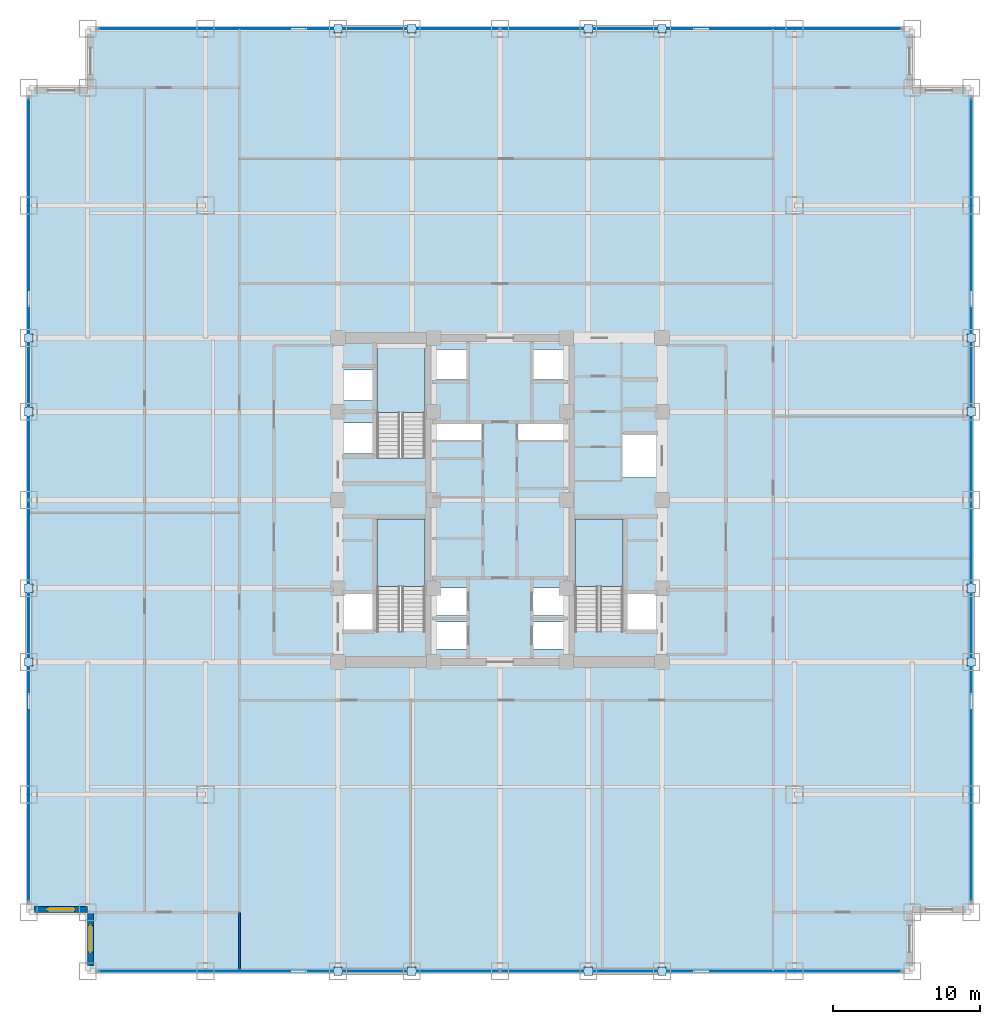
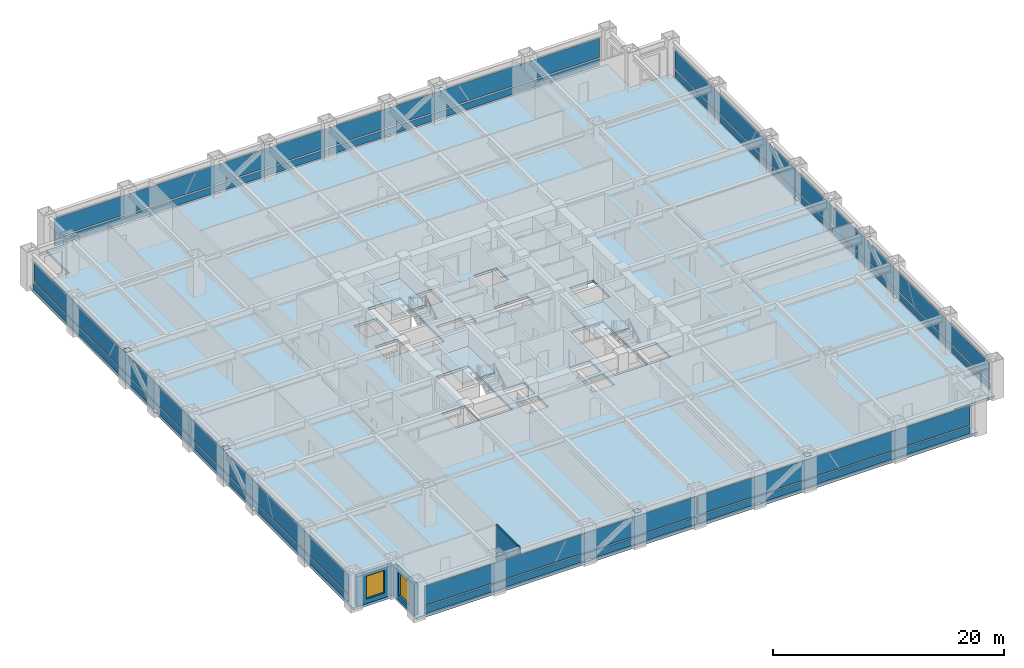
# One storey, part 22 of 27: 32 plates, 4 slabs, 3 walls, 2 windows, 2 openings, 7 elements without a shape of their own.
"""IFC4 building model written with IfcOpenShell, lengths in metres."""

from ifc_helpers import new_model, si_unit, direction, frame, frame_2d, origin, origin_2d, place, context, subcontext, project, spatial, polyline, rectangle, outline, extrude, source, transform, mapped, material, layer, layer_set, type_object, element, fill, aggregate, save


model = new_model("IFC4")

# Units and contexts
model_context = context("Model", 3, precision=1e-05, world=origin(), true_north=direction((0.0, 1.0)))
body_context = subcontext(model_context, "Body", "Model", "MODEL_VIEW")
ifc_project = project(units=[si_unit("LENGTHUNIT", "METRE"), si_unit("AREAUNIT", "SQUARE_METRE"), si_unit("VOLUMEUNIT", "CUBIC_METRE"), si_unit("PLANEANGLEUNIT", "RADIAN"), si_unit("MASSUNIT", "GRAM", prefix="KILO")], contexts=[model_context])

# Site, building, storey
site_placement = place(None, origin())
site = spatial("IfcSite", under=ifc_project, at=site_placement, CompositionType="ELEMENT")
building_placement = place(site_placement, origin())
building = spatial("IfcBuilding", under=site, at=building_placement, Name="Khorayat Bourse Tower", CompositionType="ELEMENT")
storey_placement = place(building_placement, frame((0.0, 0.0, 107.800048828125)))
storey = spatial("IfcBuildingStorey", under=building, at=storey_placement, Name="L24", CompositionType="ELEMENT", Elevation=107.800048828125)

# Stair, slab
ifc_material_1 = material(Name="Concrete C40/50", Category="concrete")
stair_type = type_object("IfcStairType", Name="STR-CORE-1550", PredefinedType="HALF_TURN_STAIR", material=ifc_material_1)
stair_1_placement = place(storey_placement, origin())
stair_1 = element("IfcStair", 1, at=stair_1_placement, inside=storey, type_object=stair_type, Name="L24 Exit Stair ST-1", PredefinedType="HALF_TURN_STAIR")
ifc_layer_1 = layer(ifc_material_1, 0.199951171875)
ifc_layer_set_1 = layer_set([ifc_layer_1], Name="Concrete C40/50")
slab_type_1 = type_object("IfcSlabType", Name="SLB-LANDING-200", PredefinedType="LANDING", material=ifc_layer_set_1)
slab_1_placement = place(storey_placement, frame((0.0, 0.0, 1.849853515625)))
slab_1 = element("IfcSlab", 2, at=slab_1_placement, type_object=slab_type_1, Name="ST-1 landing 1", PredefinedType="LANDING", context=body_context, shape_type="SweptSolid", body=[
    extrude(outline(polyline([(-5.10009765625, -5.8701171875), (-5.10009765625, -1.300048828125), (-8.35009765625, -1.300048828125), (-8.35009765625, -5.8701171875), (-5.10009765625, -5.8701171875)])), origin(), (0.0, 0.0, 1.0), 0.2001953125),
])
aggregate(stair_1, [slab_1])

stair_2_placement = place(storey_placement, origin())
stair_2 = element("IfcStair", 3, at=stair_2_placement, inside=storey, type_object=stair_type, Name="L24 Exit Stair ST-2", PredefinedType="HALF_TURN_STAIR")
slab_2_placement = place(storey_placement, frame((0.0, 0.0, 1.849853515625)))
slab_2 = element("IfcSlab", 4, at=slab_2_placement, type_object=slab_type_1, Name="ST-2 landing 1", PredefinedType="LANDING", context=body_context, shape_type="SweptSolid", body=[
    extrude(outline(polyline([(-5.10009765625, 5.929931640625), (-5.10009765625, 10.5), (-8.35009765625, 10.5), (-8.35009765625, 5.929931640625), (-5.10009765625, 5.929931640625)])), origin(), (0.0, 0.0, 1.0), 0.2001953125),
])
aggregate(stair_2, [slab_2])

stair_3_placement = place(storey_placement, origin())
stair_3 = element("IfcStair", 5, at=stair_3_placement, inside=storey, type_object=stair_type, Name="L24 Exit Stair ST-3", PredefinedType="HALF_TURN_STAIR")
slab_3_placement = place(storey_placement, frame((0.0, 0.0, 1.849853515625)))
slab_3 = element("IfcSlab", 6, at=slab_3_placement, type_object=slab_type_1, Name="ST-3 landing 1", PredefinedType="LANDING", context=body_context, shape_type="SweptSolid", body=[
    extrude(outline(polyline([(8.35009765625, -5.8701171875), (8.35009765625, -1.300048828125), (5.10009765625, -1.300048828125), (5.10009765625, -5.8701171875), (8.35009765625, -5.8701171875)])), origin(), (0.0, 0.0, 1.0), 0.2001953125),
])
aggregate(stair_3, [slab_3])

# Slab
ifc_layer_2 = layer(ifc_material_1, 0.260009765625)
ifc_layer_set_2 = layer_set([ifc_layer_2], Name="Concrete C40/50")
slab_type_2 = type_object("IfcSlabType", Name="SLB-TRADE-260", PredefinedType="FLOOR", material=ifc_layer_set_2)
slab_4_placement = place(storey_placement, frame((0.0, 0.0, -0.260009765625)))
element("IfcSlab", 7, at=slab_4_placement, inside=storey, type_object=slab_type_2, Name="L24 Main Floor Slab", PredefinedType="FLOOR", context=body_context, shape_type="SweptSolid", body=[
    extrude(outline(polyline([(-28.0, -32.0), (28.0, -32.0), (28.0, -28.0), (32.0, -28.0), (32.0, 28.0), (28.0, 28.0), (28.0, 32.0), (-28.0, 32.0), (-28.0, 28.0), (-32.0, 28.0), (-32.0, -28.0), (-28.0, -28.0), (-28.0, -32.0)]), holes=[polyline([(-8.35009765625, -8.945068359375), (-5.10009765625, -8.945068359375), (-5.10009765625, -1.300048828125), (-8.35009765625, -1.300048828125), (-8.35009765625, -8.945068359375)]), polyline([(-8.35009765625, 2.85498046875), (-5.10009765625, 2.85498046875), (-5.10009765625, 10.5), (-8.35009765625, 10.5), (-8.35009765625, 2.85498046875)]), polyline([(5.10009765625, -8.945068359375), (8.35009765625, -8.945068359375), (8.35009765625, -1.300048828125), (5.10009765625, -1.300048828125), (5.10009765625, -8.945068359375)]), polyline([(-4.3798828125, -10.1298828125), (-2.219970703125, -10.1298828125), (-2.219970703125, -8.27001953125), (-4.3798828125, -8.27001953125), (-4.3798828125, -10.1298828125)]), polyline([(2.219970703125, -10.1298828125), (4.3798828125, -10.1298828125), (4.3798828125, -8.27001953125), (2.219970703125, -8.27001953125), (2.219970703125, -10.1298828125)]), polyline([(-4.3798828125, -7.830078125), (-2.219970703125, -7.830078125), (-2.219970703125, -5.969970703125), (-4.3798828125, -5.969970703125), (-4.3798828125, -7.830078125)]), polyline([(2.219970703125, -7.830078125), (4.3798828125, -7.830078125), (4.3798828125, -5.969970703125), (2.219970703125, -5.969970703125), (2.219970703125, -7.830078125)]), polyline([(-4.3798828125, 8.169921875), (-2.1201171875, 8.169921875), (-2.1201171875, 10.22998046875), (-4.3798828125, 10.22998046875), (-4.3798828125, 8.169921875)]), polyline([(2.1201171875, 8.169921875), (4.3798828125, 8.169921875), (4.3798828125, 10.22998046875), (2.1201171875, 10.22998046875), (2.1201171875, 8.169921875)]), polyline([(-10.679931640625, 3.169921875), (-8.419921875, 3.169921875), (-8.419921875, 5.22998046875), (-10.679931640625, 5.22998046875), (-10.679931640625, 3.169921875)]), polyline([(-10.679931640625, 6.77001953125), (-8.419921875, 6.77001953125), (-8.419921875, 8.830078125), (-10.679931640625, 8.830078125), (-10.679931640625, 6.77001953125)]), polyline([(-10.679931640625, -8.929931640625), (-8.419921875, -8.929931640625), (-8.419921875, -6.3701171875), (-10.679931640625, -6.3701171875), (-10.679931640625, -8.929931640625)]), polyline([(8.419921875, -8.929931640625), (10.679931640625, -8.929931640625), (10.679931640625, -6.3701171875), (8.419921875, -6.3701171875), (8.419921875, -8.929931640625)]), polyline([(8.320068359375, 1.52001953125), (10.679931640625, 1.52001953125), (10.679931640625, 4.47998046875), (8.320068359375, 4.47998046875), (8.320068359375, 1.52001953125)]), polyline([(-4.56005859375, 4.080078125), (-1.18994140625, 4.080078125), (-1.18994140625, 5.219970703125), (-4.56005859375, 5.219970703125), (-4.56005859375, 4.080078125)]), polyline([(1.18994140625, 4.080078125), (4.56005859375, 4.080078125), (4.56005859375, 5.219970703125), (1.18994140625, 5.219970703125), (1.18994140625, 4.080078125)])]), origin(), (0.0, 0.0, 1.0), 0.260009765625),
])

# Plates
ifc_material_2 = material(Name="Steel EN 10025-2 S355J2", Category="steel")
ifc_layer_3 = layer(ifc_material_2, 0.02490234375)
ifc_layer_set_3 = layer_set([ifc_layer_3], Name="Steel EN 10025-2 S355J2")
plate_type_1 = type_object("IfcPlateType", Name="PLT-ENDCAP-25", PredefinedType="SHEET", material=ifc_layer_set_3)
shared_shape_1 = source(origin(), body_context, "Body", "SweptSolid", [
    extrude(rectangle(XDim=0.56005859375, YDim=0.56005859375, at=origin_2d()), origin(), (0.0, 0.0, 1.0), 0.02490234375),
])
for number, where, z_axis, x_axis, name in (
    (8, (-11.0, -32.0, 0.237548828125), (0.0, 0.0, 1.0), (1.0, 0.0, 0.0), "L24 Perimeter Brace End Plate 001"),
    (9, (-6.0, -32.0, 3.577392578125), (0.0, 0.0, 1.0), (1.0, 0.0, 0.0), "L24 Perimeter Brace End Plate 002"),
    (10, (6.0, -32.0, 0.237548828125), (0.0, 0.0, 1.0), (1.0, 0.0, 0.0), "L24 Perimeter Brace End Plate 003"),
    (11, (11.0, -32.0, 3.577392578125), (0.0, 0.0, 1.0), (1.0, 0.0, 0.0), "L24 Perimeter Brace End Plate 004"),
    (12, (-11.0, 32.0, 0.237548828125), (0.0, 0.0, 1.0), (1.0, 0.0, 0.0), "L24 Perimeter Brace End Plate 005"),
    (13, (-6.0, 32.0, 3.577392578125), (0.0, 0.0, 1.0), (1.0, 0.0, 0.0), "L24 Perimeter Brace End Plate 006"),
    (14, (6.0, 32.0, 0.237548828125), (0.0, 0.0, 1.0), (1.0, 0.0, 0.0), "L24 Perimeter Brace End Plate 007"),
    (15, (11.0, 32.0, 3.577392578125), (0.0, 0.0, 1.0), (1.0, 0.0, 0.0), "L24 Perimeter Brace End Plate 008"),
    (16, (-32.0, -11.0, 0.237548828125), (0.0, 0.0, 1.0), (1.0, 0.0, 0.0), "L24 Perimeter Brace End Plate 009"),
    (17, (-32.0, -6.0, 3.577392578125), (0.0, 0.0, 1.0), (1.0, 0.0, 0.0), "L24 Perimeter Brace End Plate 010"),
    (18, (-32.0, 6.0, 0.237548828125), (0.0, 0.0, 1.0), (1.0, 0.0, 0.0), "L24 Perimeter Brace End Plate 011"),
    (19, (-32.0, 11.0, 3.577392578125), (0.0, 0.0, 1.0), (1.0, 0.0, 0.0), "L24 Perimeter Brace End Plate 012"),
    (20, (32.0, -11.0, 0.237548828125), (0.0, 0.0, 1.0), (1.0, 0.0, 0.0), "L24 Perimeter Brace End Plate 013"),
    (21, (32.0, -6.0, 3.577392578125), (0.0, 0.0, 1.0), (1.0, 0.0, 0.0), "L24 Perimeter Brace End Plate 014"),
    (22, (32.0, 6.0, 0.237548828125), (0.0, 0.0, 1.0), (1.0, 0.0, 0.0), "L24 Perimeter Brace End Plate 015"),
    (23, (32.0, 11.0, 3.577392578125), (0.0, 0.0, 1.0), (1.0, 0.0, 0.0), "L24 Perimeter Brace End Plate 016"),
):
    element("IfcPlate", number, at=place(storey_placement, frame(where, z_axis=z_axis, x_axis=x_axis)), inside=storey, type_object=plate_type_1, Name=name, PredefinedType="SHEET", context=body_context, shape_type="MappedRepresentation", body=[
        mapped(shared_shape_1, transform((0.0, 0.0, 0.0), scale=1.0)),
    ])

# Curtain wall, plates
ifc_material_3 = material(Name="Aluminium EN AW-6063 T6", Category="aluminium")
curtain_wall_type = type_object("IfcCurtainWallType", Name="CW-SYS-02", PredefinedType="NOTDEFINED", material=ifc_material_3)
curtain_wall_1_placement = place(storey_placement, origin())
curtain_wall_1 = element("IfcCurtainWall", 24, at=curtain_wall_1_placement, inside=storey, type_object=curtain_wall_type, Name="L24 Curtain Wall CW-L24-S1", PredefinedType="NOTDEFINED")
ifc_material_4 = material(Name="Honed desert limestone insulated spandrel", Category="masonry")
ifc_layer_4 = layer(ifc_material_4, 0.06494140625)
ifc_layer_set_4 = layer_set([ifc_layer_4], Name="Honed desert limestone insulated spandrel")
plate_type_2 = type_object("IfcPlateType", Name="CWP-SPAND-03", PredefinedType="CURTAIN_PANEL", material=ifc_layer_set_4)
shared_shape_2 = source(origin(), body_context, "Body", "SweptSolid", [
    extrude(rectangle(XDim=27.139892578125, YDim=0.06494140625, at=origin_2d()), origin(), (0.0, 0.0, 1.0), 0.739990234375),
])
plate_1_placement = place(storey_placement, frame((-13.639892578125, -32.0, 0.14013671875), z_axis=(0.0, 0.0, 1.0), x_axis=(1.0, 0.0, 0.0)))
plate_1 = element("IfcPlate", 25, at=plate_1_placement, type_object=plate_type_2, Name="CW-L24-S1 Spandrel Panel 1-1", PredefinedType="CURTAIN_PANEL", context=body_context, shape_type="MappedRepresentation", body=[
    mapped(shared_shape_2, transform((0.0, 0.0, 0.0), scale=1.0)),
])
plate_2_placement = place(storey_placement, frame((13.639892578125, -32.0, 0.14013671875), z_axis=(0.0, 0.0, 1.0), x_axis=(1.0, 0.0, 0.0)))
plate_2 = element("IfcPlate", 26, at=plate_2_placement, type_object=plate_type_2, Name="CW-L24-S1 Spandrel Panel 2-1", PredefinedType="CURTAIN_PANEL", context=body_context, shape_type="MappedRepresentation", body=[
    mapped(shared_shape_2, transform((0.0, 0.0, 0.0), scale=1.0)),
])

curtain_wall_2_placement = place(storey_placement, origin())
curtain_wall_2 = element("IfcCurtainWall", 27, at=curtain_wall_2_placement, inside=storey, type_object=curtain_wall_type, Name="L24 Curtain Wall CW-L24-N1", PredefinedType="NOTDEFINED")
plate_3_placement = place(storey_placement, frame((-13.639892578125, 32.0, 0.14013671875), z_axis=(0.0, 0.0, 1.0), x_axis=(1.0, 0.0, 0.0)))
plate_3 = element("IfcPlate", 28, at=plate_3_placement, type_object=plate_type_2, Name="CW-L24-N1 Spandrel Panel 1-1", PredefinedType="CURTAIN_PANEL", context=body_context, shape_type="MappedRepresentation", body=[
    mapped(shared_shape_2, transform((0.0, 0.0, 0.0), scale=1.0)),
])
plate_4_placement = place(storey_placement, frame((13.639892578125, 32.0, 0.14013671875), z_axis=(0.0, 0.0, 1.0), x_axis=(1.0, 0.0, 0.0)))
plate_4 = element("IfcPlate", 29, at=plate_4_placement, type_object=plate_type_2, Name="CW-L24-N1 Spandrel Panel 2-1", PredefinedType="CURTAIN_PANEL", context=body_context, shape_type="MappedRepresentation", body=[
    mapped(shared_shape_2, transform((0.0, 0.0, 0.0), scale=1.0)),
])

curtain_wall_3_placement = place(storey_placement, origin())
curtain_wall_3 = element("IfcCurtainWall", 30, at=curtain_wall_3_placement, inside=storey, type_object=curtain_wall_type, Name="L24 Curtain Wall CW-L24-W1", PredefinedType="NOTDEFINED")
plate_5_placement = place(storey_placement, frame((-32.0, -13.639892578125, 0.14013671875), z_axis=(0.0, 0.0, 1.0), x_axis=(0.0, 1.0, 0.0)))
plate_5 = element("IfcPlate", 31, at=plate_5_placement, type_object=plate_type_2, Name="CW-L24-W1 Spandrel Panel 1-1", PredefinedType="CURTAIN_PANEL", context=body_context, shape_type="MappedRepresentation", body=[
    mapped(shared_shape_2, transform((0.0, 0.0, 0.0), scale=1.0)),
])
plate_6_placement = place(storey_placement, frame((-32.0, 13.639892578125, 0.14013671875), z_axis=(0.0, 0.0, 1.0), x_axis=(0.0, 1.0, 0.0)))
plate_6 = element("IfcPlate", 32, at=plate_6_placement, type_object=plate_type_2, Name="CW-L24-W1 Spandrel Panel 2-1", PredefinedType="CURTAIN_PANEL", context=body_context, shape_type="MappedRepresentation", body=[
    mapped(shared_shape_2, transform((0.0, 0.0, 0.0), scale=1.0)),
])

curtain_wall_4_placement = place(storey_placement, origin())
curtain_wall_4 = element("IfcCurtainWall", 33, at=curtain_wall_4_placement, inside=storey, type_object=curtain_wall_type, Name="L24 Curtain Wall CW-L24-E1", PredefinedType="NOTDEFINED")
plate_7_placement = place(storey_placement, frame((32.0, -13.639892578125, 0.14013671875), z_axis=(0.0, 0.0, 1.0), x_axis=(0.0, 1.0, 0.0)))
plate_7 = element("IfcPlate", 34, at=plate_7_placement, type_object=plate_type_2, Name="CW-L24-E1 Spandrel Panel 1-1", PredefinedType="CURTAIN_PANEL", context=body_context, shape_type="MappedRepresentation", body=[
    mapped(shared_shape_2, transform((0.0, 0.0, 0.0), scale=1.0)),
])
plate_8_placement = place(storey_placement, frame((32.0, 13.639892578125, 0.14013671875), z_axis=(0.0, 0.0, 1.0), x_axis=(0.0, 1.0, 0.0)))
plate_8 = element("IfcPlate", 35, at=plate_8_placement, type_object=plate_type_2, Name="CW-L24-E1 Spandrel Panel 2-1", PredefinedType="CURTAIN_PANEL", context=body_context, shape_type="MappedRepresentation", body=[
    mapped(shared_shape_2, transform((0.0, 0.0, 0.0), scale=1.0)),
])

# Plate
ifc_material_5 = material(Name="Low-E solar-control laminated double glazing", Category="glass")
ifc_layer_5 = layer(ifc_material_5, 0.0419921875)
ifc_layer_set_5 = layer_set([ifc_layer_5], Name="Low-E solar-control laminated double glazing")
plate_type_3 = type_object("IfcPlateType", Name="CWP-FACET-02", PredefinedType="CURTAIN_PANEL", material=ifc_layer_set_5)
shared_shape_3 = source(origin(), body_context, "Body", "SweptSolid", [
    extrude(rectangle(XDim=27.139892578125, YDim=0.0419921875, at=origin_2d()), origin(), (0.0, 0.0, 1.0), 2.030029296875),
])
plate_9_placement = place(storey_placement, frame((-13.639892578125, -32.0, 1.02001953125), z_axis=(0.0, 0.0, 1.0), x_axis=(1.0, 0.0, 0.0)))
plate_9 = element("IfcPlate", 36, at=plate_9_placement, type_object=plate_type_3, Name="CW-L24-S1 Vision Panel 1-2", PredefinedType="CURTAIN_PANEL", context=body_context, shape_type="MappedRepresentation", body=[
    mapped(shared_shape_3, transform((0.0, 0.0, 0.0), scale=1.0)),
])

plate_10_placement = place(storey_placement, frame((13.639892578125, -32.0, 1.02001953125), z_axis=(0.0, 0.0, 1.0), x_axis=(1.0, 0.0, 0.0)))
plate_10 = element("IfcPlate", 37, at=plate_10_placement, type_object=plate_type_3, Name="CW-L24-S1 Vision Panel 2-2", PredefinedType="CURTAIN_PANEL", context=body_context, shape_type="MappedRepresentation", body=[
    mapped(shared_shape_3, transform((0.0, 0.0, 0.0), scale=1.0)),
])

aggregate(curtain_wall_1, [plate_1, plate_9, plate_2, plate_10])

plate_11_placement = place(storey_placement, frame((-13.639892578125, 32.0, 1.02001953125), z_axis=(0.0, 0.0, 1.0), x_axis=(1.0, 0.0, 0.0)))
plate_11 = element("IfcPlate", 38, at=plate_11_placement, type_object=plate_type_3, Name="CW-L24-N1 Vision Panel 1-2", PredefinedType="CURTAIN_PANEL", context=body_context, shape_type="MappedRepresentation", body=[
    mapped(shared_shape_3, transform((0.0, 0.0, 0.0), scale=1.0)),
])

plate_12_placement = place(storey_placement, frame((13.639892578125, 32.0, 1.02001953125), z_axis=(0.0, 0.0, 1.0), x_axis=(1.0, 0.0, 0.0)))
plate_12 = element("IfcPlate", 39, at=plate_12_placement, type_object=plate_type_3, Name="CW-L24-N1 Vision Panel 2-2", PredefinedType="CURTAIN_PANEL", context=body_context, shape_type="MappedRepresentation", body=[
    mapped(shared_shape_3, transform((0.0, 0.0, 0.0), scale=1.0)),
])

aggregate(curtain_wall_2, [plate_3, plate_11, plate_4, plate_12])

plate_13_placement = place(storey_placement, frame((-32.0, -13.639892578125, 1.02001953125), z_axis=(0.0, 0.0, 1.0), x_axis=(0.0, 1.0, 0.0)))
plate_13 = element("IfcPlate", 40, at=plate_13_placement, type_object=plate_type_3, Name="CW-L24-W1 Vision Panel 1-2", PredefinedType="CURTAIN_PANEL", context=body_context, shape_type="MappedRepresentation", body=[
    mapped(shared_shape_3, transform((0.0, 0.0, 0.0), scale=1.0)),
])

plate_14_placement = place(storey_placement, frame((-32.0, 13.639892578125, 1.02001953125), z_axis=(0.0, 0.0, 1.0), x_axis=(0.0, 1.0, 0.0)))
plate_14 = element("IfcPlate", 41, at=plate_14_placement, type_object=plate_type_3, Name="CW-L24-W1 Vision Panel 2-2", PredefinedType="CURTAIN_PANEL", context=body_context, shape_type="MappedRepresentation", body=[
    mapped(shared_shape_3, transform((0.0, 0.0, 0.0), scale=1.0)),
])

aggregate(curtain_wall_3, [plate_5, plate_13, plate_6, plate_14])

plate_15_placement = place(storey_placement, frame((32.0, -13.639892578125, 1.02001953125), z_axis=(0.0, 0.0, 1.0), x_axis=(0.0, 1.0, 0.0)))
plate_15 = element("IfcPlate", 42, at=plate_15_placement, type_object=plate_type_3, Name="CW-L24-E1 Vision Panel 1-2", PredefinedType="CURTAIN_PANEL", context=body_context, shape_type="MappedRepresentation", body=[
    mapped(shared_shape_3, transform((0.0, 0.0, 0.0), scale=1.0)),
])

plate_16_placement = place(storey_placement, frame((32.0, 13.639892578125, 1.02001953125), z_axis=(0.0, 0.0, 1.0), x_axis=(0.0, 1.0, 0.0)))
plate_16 = element("IfcPlate", 43, at=plate_16_placement, type_object=plate_type_3, Name="CW-L24-E1 Vision Panel 2-2", PredefinedType="CURTAIN_PANEL", context=body_context, shape_type="MappedRepresentation", body=[
    mapped(shared_shape_3, transform((0.0, 0.0, 0.0), scale=1.0)),
])

aggregate(curtain_wall_4, [plate_7, plate_15, plate_8, plate_16])

# Wall, opening, window
ifc_material_6 = material(Name="Precast concrete C45/55", Category="concrete")
ifc_layer_6 = layer(ifc_material_6, 0.3798828125)
ifc_layer_set_6 = layer_set([ifc_layer_6], Name="Precast concrete C45/55")
wall_type_1 = type_object("IfcWallType", Name="WAL-EXT-STONE-380", PredefinedType="STANDARD", material=ifc_layer_set_6)
shared_shape_4 = source(origin(), body_context, "Body", "SweptSolid", [
    extrude(rectangle(XDim=3.6201171875, YDim=0.3798828125, at=frame_2d((1.81005859375, 0.0))), origin(), (0.0, 0.0, 1.0), 3.14501953125),
])
wall_1_placement = place(storey_placement, frame((-28.0, -27.81005859375, 0.0), z_axis=(0.0, 0.0, 1.0), x_axis=(-1.0, 0.0, 0.0)))
wall_1 = element("IfcWall", 44, at=wall_1_placement, inside=storey, type_object=wall_type_1, Name="L24 Re-Entrant Notch Limestone Wall SW-H", PredefinedType="STANDARD", context=body_context, shape_type="MappedRepresentation", body=[
    mapped(shared_shape_4, transform((0.0, 0.0, 0.0), scale=1.0)),
])
shared_shape_5 = source(origin(), body_context, "Body", "SweptSolid", [
    extrude(rectangle(XDim=1.800048828125, YDim=2.39990234375, at=frame_2d((0.89990234375, 1.199951171875))), frame((0.0, 0.199951171875, 0.0), z_axis=(0.0, -1.0, 0.0), x_axis=(1.0, 0.0, 0.0)), (0.0, 0.0, 1.0), 0.39990234375),
])
opening_1_placement = place(wall_1_placement, frame((0.909912109375, 0.0, 0.5)))
opening_1 = element("IfcOpeningElement", 45, at=opening_1_placement, cuts=wall_1, Name="Opening WN-04", PredefinedType="OPENING", context=body_context, shape_type="MappedRepresentation", body=[
    mapped(shared_shape_5, transform((0.0, 0.0, 0.0), scale=1.0)),
])
ifc_material_7 = material(Name="Low-E acoustic laminated double glazing", Category="glass")
window_type = type_object("IfcWindowType", Name="WIN-NOTCH-1800x2400", PartitioningType="SINGLE_PANEL", PredefinedType="WINDOW", material=ifc_material_7)
shared_shape_6 = source(origin(), body_context, "Body", "SweptSolid", [
    extrude(rectangle(XDim=1.800048828125, YDim=2.39990234375, at=frame_2d((0.89990234375, 1.199951171875))), frame((0.0, 0.030029296875, 0.0), z_axis=(0.0, -1.0, 0.0), x_axis=(1.0, 0.0, 0.0)), (0.0, 0.0, 1.0), 0.06005859375),
])
window_1_placement = place(opening_1_placement, origin())
window_1 = element("IfcWindow", 46, at=window_1_placement, inside=storey, type_object=window_type, Name="L24 Facade Window 1", OverallHeight=2.39990234375, OverallWidth=1.800048828125, PartitioningType="SINGLE_PANEL", PredefinedType="WINDOW", context=body_context, shape_type="MappedRepresentation", body=[
    mapped(shared_shape_6, transform((0.0, 0.0, 0.0), scale=1.0)),
])
fill(opening_1, window_1)

wall_2_placement = place(storey_placement, frame((-27.81005859375, -31.6201171875, 0.0), z_axis=(0.0, 0.0, 1.0), x_axis=(0.0, 1.0, 0.0)))
wall_2 = element("IfcWall", 47, at=wall_2_placement, inside=storey, type_object=wall_type_1, Name="L24 Re-Entrant Notch Limestone Wall SW-V", PredefinedType="STANDARD", context=body_context, shape_type="MappedRepresentation", body=[
    mapped(shared_shape_4, transform((0.0, 0.0, 0.0), scale=1.0)),
])
opening_2_placement = place(wall_2_placement, frame((0.909912109375, 0.0, 0.5)))
opening_2 = element("IfcOpeningElement", 48, at=opening_2_placement, cuts=wall_2, Name="Opening WN-04", PredefinedType="OPENING", context=body_context, shape_type="MappedRepresentation", body=[
    mapped(shared_shape_5, transform((0.0, 0.0, 0.0), scale=1.0)),
])
window_2_placement = place(opening_2_placement, origin())
window_2 = element("IfcWindow", 49, at=window_2_placement, inside=storey, type_object=window_type, Name="L24 Facade Window 1", OverallHeight=2.39990234375, OverallWidth=1.800048828125, PartitioningType="SINGLE_PANEL", PredefinedType="WINDOW", context=body_context, shape_type="MappedRepresentation", body=[
    mapped(shared_shape_6, transform((0.0, 0.0, 0.0), scale=1.0)),
])
fill(opening_2, window_2)

# Wall
ifc_material_8 = material(Name="Gypsum plasterboard twin-frame partition")
ifc_layer_7 = layer(ifc_material_8, 0.14990234375)
ifc_layer_set_7 = layer_set([ifc_layer_7], Name="Gypsum plasterboard twin-frame partition")
wall_type_2 = type_object("IfcWallType", Name="WAL-PART-SUITE-150", PredefinedType="PARTITIONING", material=ifc_layer_set_7)
shared_shape_7 = source(origin(), body_context, "Body", "SweptSolid", [
    extrude(rectangle(XDim=4.0, YDim=0.14990234375, at=frame_2d((2.0, 0.0))), origin(), (0.0, 0.0, 1.0), 3.83984375),
])
wall_3_placement = place(storey_placement, frame((-17.699951171875, -32.0, 0.0), z_axis=(0.0, 0.0, 1.0), x_axis=(0.0, 1.0, 0.0)))
element("IfcWall", 50, at=wall_3_placement, inside=storey, type_object=wall_type_2, Name="L24 Partition WAL-L24-SCW-END", PredefinedType="PARTITIONING", context=body_context, shape_type="MappedRepresentation", body=[
    mapped(shared_shape_7, transform((0.0, 0.0, 0.0), scale=1.0)),
])

save(model, "model.ifc")
